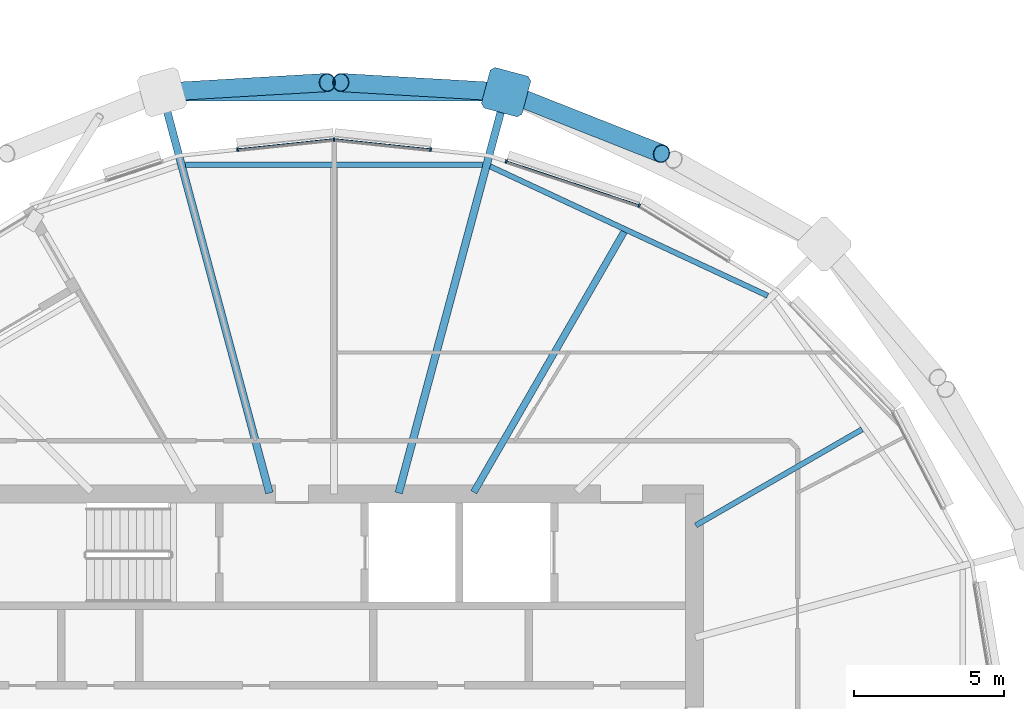
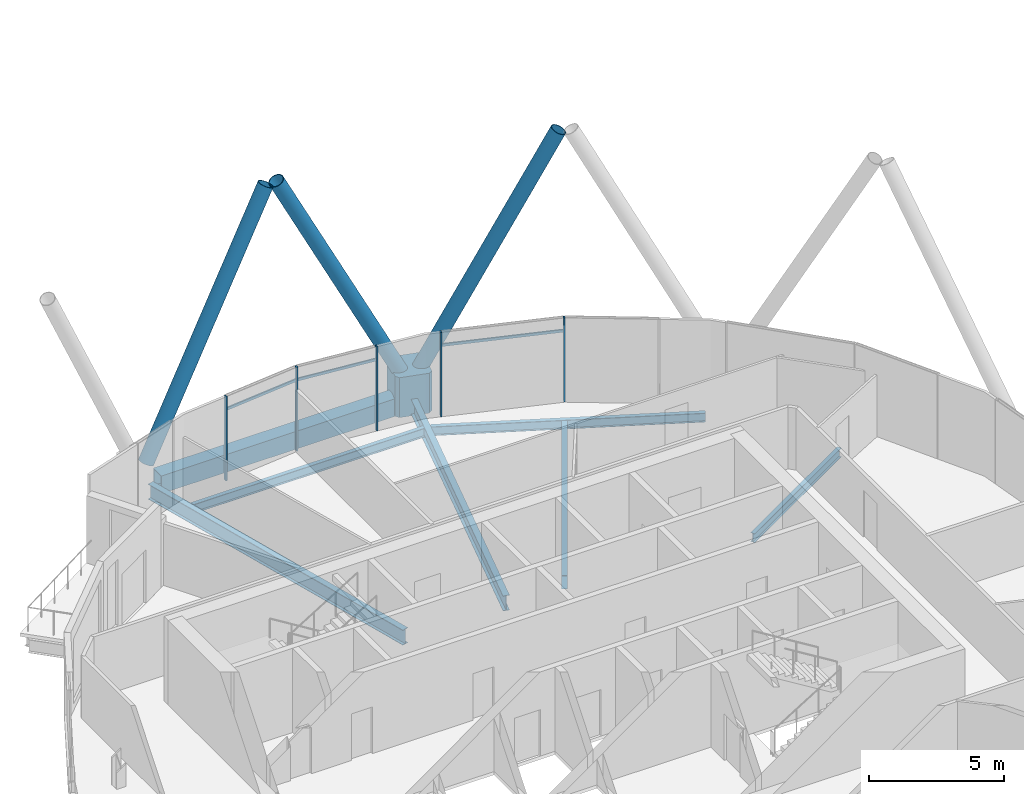
# One storey, part 11 of 37: 12 members, 7 beams, 1 element without a shape of its own.
"""IFC4 building model written with IfcOpenShell, lengths in metres."""

from ifc_helpers import new_model, si_unit, direction, frame, origin, origin_2d, place, context, subcontext, project, spatial, polyline, rectangle, hollow_rectangle, hollow_circle, i_section, outline, extrude, material, material_profile, profile_set, type_object, element, aggregate, save


model = new_model("IFC4")

# Units and contexts
model_context = context("Model", 3, precision=1e-05, world=origin(), true_north=direction((0.0, 1.0)))
body_context = subcontext(model_context, "Body", "Model", "MODEL_VIEW")
ifc_project = project(units=[si_unit("LENGTHUNIT", "METRE"), si_unit("AREAUNIT", "SQUARE_METRE"), si_unit("VOLUMEUNIT", "CUBIC_METRE"), si_unit("PLANEANGLEUNIT", "RADIAN"), si_unit("MASSUNIT", "GRAM", prefix="KILO")], contexts=[model_context])

# Site, building, storey
site_placement = place(None, origin())
site = spatial("IfcSite", under=ifc_project, at=site_placement, CompositionType="ELEMENT")
building_placement = place(site_placement, origin())
building = spatial("IfcBuilding", under=site, at=building_placement, Name="Rimbun Link Towers", CompositionType="ELEMENT")
storey_placement = place(building_placement, frame((0.0, 0.0, 170.300048828125)))
storey = spatial("IfcBuildingStorey", under=building, at=storey_placement, Name="L41", CompositionType="ELEMENT", Elevation=170.300048828125)

# Curtain wall, members
ifc_material_1 = material(Name="Aluminium 6063-T6 and low-iron glass", Category="aluminium")
curtain_wall_type = type_object("IfcCurtainWallType", Name="CW1-Z3 unitised vision wall (zone 3)", PredefinedType="NOTDEFINED", material=ifc_material_1)
curtain_wall_placement = place(storey_placement, origin())
curtain_wall = element("IfcCurtainWall", 1, at=curtain_wall_placement, inside=storey, type_object=curtain_wall_type, Name="CW1 L41 T1", PredefinedType="NOTDEFINED")
ifc_material_2 = material(Name="Aluminium 6063-T6", Category="aluminium")
ifc_material_profile_1 = material_profile(ifc_material_2, rectangle(XDim=0.1201171875, YDim=0.06005859375, at=origin_2d()), Name="MULLION 60X120")
ifc_profile_set_1 = profile_set([ifc_material_profile_1], Name="Aluminium 6063-T6")
member_type_1 = type_object("IfcMemberType", Name="CW1 mullion 60X120", PredefinedType="MULLION", material=ifc_profile_set_1)
member_1_placement = place(storey_placement, frame((-21.590087890625, 17.60791015625, 0.0), z_axis=(0.0, 0.0, 1.0), x_axis=(0.421696857655, 0.906736874867, 0.0)))
member_1 = element("IfcMember", 2, at=member_1_placement, type_object=member_type_1, Name="CW1 mullion", PredefinedType="MULLION", context=body_context, shape_type="SweptSolid", body=[
    extrude(rectangle(XDim=0.1201171875, YDim=0.06005859375, at=origin_2d()), origin(), (0.0, 0.0, 1.0), 3.800048828125),
])
member_2_placement = place(storey_placement, frame((-26.01513671875, 19.07470703125, 0.0), z_axis=(0.0, 0.0, 1.0), x_axis=(0.314560279601, 0.949237499521, 0.0)))
member_2 = element("IfcMember", 3, at=member_2_placement, type_object=member_type_1, Name="CW1 mullion", PredefinedType="MULLION", context=body_context, shape_type="SweptSolid", body=[
    extrude(rectangle(XDim=0.1201171875, YDim=0.06005859375, at=origin_2d()), origin(), (0.0, 0.0, 1.0), 3.800048828125),
])
member_3_placement = place(storey_placement, frame((-31.75, 19.80859375, 0.0), z_axis=(0.0, 0.0, 1.0), x_axis=(0.0, 1.0, 0.0)))
member_3 = element("IfcMember", 4, at=member_3_placement, type_object=member_type_1, Name="CW1 mullion", PredefinedType="MULLION", context=body_context, shape_type="SweptSolid", body=[
    extrude(rectangle(XDim=0.1201171875, YDim=0.06005859375, at=origin_2d()), origin(), (0.0, 0.0, 1.0), 3.800048828125),
])
member_4_placement = place(storey_placement, frame((-28.53662109375, 19.470458984375, 0.0), z_axis=(0.0, 0.0, 1.0), x_axis=(0.104737092036, 0.994499945476, 0.0)))
member_4 = element("IfcMember", 5, at=member_4_placement, type_object=member_type_1, Name="CW1 mullion", PredefinedType="MULLION", context=body_context, shape_type="SweptSolid", body=[
    extrude(rectangle(XDim=0.1201171875, YDim=0.06005859375, at=origin_2d()), origin(), (0.0, 0.0, 1.0), 3.800048828125),
])
member_5_placement = place(storey_placement, frame((-34.96337890625, 19.470458984375, 0.0), z_axis=(0.0, 0.0, 1.0), x_axis=(-0.104737092036, 0.994499945476, 0.0)))
member_5 = element("IfcMember", 6, at=member_5_placement, type_object=member_type_1, Name="CW1 mullion", PredefinedType="MULLION", context=body_context, shape_type="SweptSolid", body=[
    extrude(rectangle(XDim=0.1201171875, YDim=0.06005859375, at=origin_2d()), origin(), (0.0, 0.0, 1.0), 3.800048828125),
])
ifc_material_3 = material(Name="Aluminium 6063-T6", Category="aluminium")
ifc_material_profile_2 = material_profile(ifc_material_3, rectangle(XDim=0.06005859375, YDim=0.1201171875, at=origin_2d()), Name="TRANSOM 60X120")
ifc_profile_set_2 = profile_set([ifc_material_profile_2], Name="Aluminium 6063-T6")
member_type_2 = type_object("IfcMemberType", Name="CW1 transom 60X120", PredefinedType="USERDEFINED", material=ifc_profile_set_2)
member_6_placement = place(storey_placement, frame((-25.9873046875, 19.0634765625, 3.199951171875), z_axis=(0.949239729091, -0.314553551426, 0.0), x_axis=(0.314553551426, 0.949239729091, 0.0)))
member_6 = element("IfcMember", 7, at=member_6_placement, type_object=member_type_2, Name="CW1 transom", ObjectType="TRANSOM", PredefinedType="USERDEFINED", context=body_context, shape_type="SweptSolid", body=[
    extrude(rectangle(XDim=0.06005859375, YDim=0.1201171875, at=origin_2d()), origin(), (0.0, 0.0, 1.0), 4.5947265625),
])
member_7_placement = place(storey_placement, frame((-31.714111328125, 19.80322265625, 3.199951171875), z_axis=(0.994497841897, -0.104757064016, 0.0), x_axis=(0.104757064016, 0.994497841897, 0.0)))
member_7 = element("IfcMember", 8, at=member_7_placement, type_object=member_type_2, Name="CW1 transom", ObjectType="TRANSOM", PredefinedType="USERDEFINED", context=body_context, shape_type="SweptSolid", body=[
    extrude(rectangle(XDim=0.06005859375, YDim=0.1201171875, at=origin_2d()), origin(), (0.0, 0.0, 1.0), 3.164794921875),
])
member_8_placement = place(storey_placement, frame((-34.933349609375, 19.4716796875, 3.199951171875), z_axis=(0.994497841897, 0.104757064016, 0.0), x_axis=(-0.104757064016, 0.994497841897, 0.0)))
member_8 = element("IfcMember", 9, at=member_8_placement, type_object=member_type_2, Name="CW1 transom", ObjectType="TRANSOM", PredefinedType="USERDEFINED", context=body_context, shape_type="SweptSolid", body=[
    extrude(rectangle(XDim=0.06005859375, YDim=0.1201171875, at=origin_2d()), origin(), (0.0, 0.0, 1.0), 3.164794921875),
])
aggregate(curtain_wall, [member_1, member_2, member_3, member_4, member_5, member_6, member_7, member_8])

# Members
ifc_material_4 = material(Name="Steel S355J2H", Category="steel")
ifc_material_profile_3 = material_profile(ifc_material_4, hollow_circle(Radius=0.3046875, WallThickness=0.02490234375, at=origin_2d()), Name="Diagrid diagonal CHS 610x25")
ifc_profile_set_3 = profile_set([ifc_material_profile_3], Name="Steel S355J2H")
member_type_3 = type_object("IfcMemberType", Name="Diagrid diagonal CHS 610x25", PredefinedType="BRACE", material=ifc_profile_set_3)
member_9_placement = place(storey_placement, frame((-25.810791015625, 21.296630859375, 0.44580078125), z_axis=(0.421187646569, -0.166556991544, 0.8915490648), x_axis=(0.367737070118, 0.929929807707, 0.0)))
element("IfcMember", 10, at=member_9_placement, inside=storey, type_object=member_type_3, Name="Diagrid diagonal T1 L41-L44 05a", PredefinedType="BRACE", context=body_context, shape_type="SweptSolid", body=[
    extrude(hollow_circle(Radius=0.3046875, WallThickness=0.02490234375, at=origin_2d()), origin(), (0.0, 0.0, 1.0), 11.78662109375),
])
for number, where, z_axis, x_axis, name in (
    (11, (-26.24560546875, 21.39306640625, 0.446533203125), (-0.448868105626, 0.026275813646, 0.893211624067), (-0.058437900023, -0.998291045658, 0.0), "Diagrid diagonal T1 L41-L44 05b"),
    (12, (-37.25439453125, 21.39306640625, 0.446533203125), (0.448868105626, 0.026275813646, 0.893211624067), (-0.058437900023, 0.998291045658, 0.0), "Diagrid diagonal T1 L41-L44 07a"),
):
    element("IfcMember", number, at=place(storey_placement, frame(where, z_axis=z_axis, x_axis=x_axis)), inside=storey, type_object=member_type_3, Name=name, PredefinedType="BRACE", context=body_context, shape_type="SweptSolid", body=[
        extrude(hollow_circle(Radius=0.3046875, WallThickness=0.02490234375, at=origin_2d()), origin(), (0.0, 0.0, 1.0), 11.762939453125),
    ])
ifc_material_5 = material(Name="Cast steel G20Mn5+QT, Rp0.2 300 MPa", Category="steel")
ifc_material_profile_4 = material_profile(ifc_material_5, outline(polyline([(0.699951171875, -0.570068359375), (0.699951171875, 0.570068359375), (0.570068359375, 0.699951171875), (-0.570068359375, 0.699951171875), (-0.699951171875, 0.570068359375), (-0.699951171875, -0.570068359375), (-0.570068359375, -0.699951171875), (0.570068359375, -0.699951171875), (0.699951171875, -0.570068359375)])), Name="NODE 1400x1400")
ifc_profile_set_4 = profile_set([ifc_material_profile_4], Name="Cast steel G20Mn5+QT, Rp0.2 300 MPa")
member_type_4 = type_object("IfcMemberType", Name="Diagrid node cast 1400", PredefinedType="USERDEFINED", material=ifc_profile_set_4)
member_10_placement = place(storey_placement, frame((-26.021240234375, 21.3798828125, -0.900146484375), z_axis=(0.0, 0.0, 1.0), x_axis=(0.258819045103, 0.965925826289, 0.0)))
element("IfcMember", 13, at=member_10_placement, inside=storey, type_object=member_type_4, Name="Diagrid node L41 05", ObjectType="Diagrid node", PredefinedType="USERDEFINED", context=body_context, shape_type="SweptSolid", body=[
    extrude(outline(polyline([(0.699951171875, -0.570068359375), (0.699951171875, 0.570068359375), (0.570068359375, 0.699951171875), (-0.570068359375, 0.699951171875), (-0.699951171875, 0.570068359375), (-0.699951171875, -0.570068359375), (-0.570068359375, -0.699951171875), (0.570068359375, -0.699951171875), (0.699951171875, -0.570068359375)])), origin(), (0.0, 0.0, 1.0), 1.800048828125),
])

# Beams
ifc_material_6 = material(Name="Steel S355J2", Category="steel")
ifc_material_profile_5 = material_profile(ifc_material_6, hollow_rectangle(XDim=0.60009765625, YDim=0.800048828125, WallThickness=0.0400390625, at=origin_2d()), Name="Exoskeleton ring girder BOX 600x800x40")
ifc_profile_set_5 = profile_set([ifc_material_profile_5], Name="Steel S355J2")
beam_type_1 = type_object("IfcBeamType", Name="Exoskeleton ring girder BOX 600x800x40", PredefinedType="BEAM", material=ifc_profile_set_5)
beam_1_placement = place(storey_placement, frame((-26.72119140625, 21.3798828125, -0.56005859375), z_axis=(-1.0, 0.0, 0.0), x_axis=(0.0, -1.0, 0.0)))
element("IfcBeam", 14, at=beam_1_placement, inside=storey, type_object=beam_type_1, Name="Exoskeleton ring girder L41 02", PredefinedType="BEAM", context=body_context, shape_type="SweptSolid", body=[
    extrude(hollow_rectangle(XDim=0.60009765625, YDim=0.800048828125, WallThickness=0.0400390625, at=origin_2d()), origin(), (0.0, 0.0, 1.0), 10.0576171875),
])
ifc_material_7 = material(Name="Steel S355J2", Category="steel")
ifc_material_profile_6 = material_profile(ifc_material_7, i_section(OverallWidth=0.177978515625, OverallDepth=0.406494140625, WebThickness=0.0078125, FlangeThickness=0.0126953125, at=origin_2d()), Name="UB 406x178x60")
ifc_profile_set_6 = profile_set([ifc_material_profile_6], Name="Steel S355J2")
beam_type_2 = type_object("IfcBeamType", Name="UB 406x178x60", PredefinedType="BEAM", material=ifc_profile_set_6)
beam_2_placement = place(storey_placement, frame((-19.70458984375, 6.954345703125, -0.353271484375), z_axis=(0.866020885633, 0.500007825586, 0.0), x_axis=(-0.500007825586, 0.866020885633, 0.0)))
element("IfcBeam", 15, at=beam_2_placement, inside=storey, type_object=beam_type_2, Name="Radial beam T1 L41 02", PredefinedType="BEAM", context=body_context, shape_type="SweptSolid", body=[
    extrude(i_section(OverallWidth=0.177978515625, OverallDepth=0.406494140625, WebThickness=0.0078125, FlangeThickness=0.0126953125, at=origin_2d()), origin(), (0.0, 0.0, 1.0), 6.3935546875),
])
beam_3_placement = place(storey_placement, frame((-17.31103515625, 14.60107421875, -0.353271484375), z_axis=(-0.906411214108, 0.422396390775, 0.0), x_axis=(-0.422396390775, -0.906411214108, 0.0)))
element("IfcBeam", 16, at=beam_3_placement, inside=storey, type_object=beam_type_2, Name="Edge beam T1 L41 03-05", PredefinedType="BEAM", context=body_context, shape_type="SweptSolid", body=[
    extrude(i_section(OverallWidth=0.177978515625, OverallDepth=0.406494140625, WebThickness=0.0078125, FlangeThickness=0.0126953125, at=origin_2d()), origin(), (0.0, 0.0, 1.0), 10.194580078125),
])
beam_4_placement = place(storey_placement, frame((-26.801513671875, 18.962158203125, -0.353271484375), z_axis=(-1.0, 0.0, 0.0), x_axis=(0.0, -1.0, 0.0)))
element("IfcBeam", 17, at=beam_4_placement, inside=storey, type_object=beam_type_2, Name="Edge beam T1 L41 05-07", PredefinedType="BEAM", context=body_context, shape_type="SweptSolid", body=[
    extrude(i_section(OverallWidth=0.177978515625, OverallDepth=0.406494140625, WebThickness=0.0078125, FlangeThickness=0.0126953125, at=origin_2d()), origin(), (0.0, 0.0, 1.0), 9.89697265625),
])
ifc_material_8 = material(Name="Steel S355J2", Category="steel")
ifc_material_profile_7 = material_profile(ifc_material_8, i_section(OverallWidth=0.2275390625, OverallDepth=0.6025390625, WebThickness=0.010498046875, FlangeThickness=0.014892578125, at=origin_2d()), Name="UB 610x229x101")
ifc_profile_set_7 = profile_set([ifc_material_profile_7], Name="Steel S355J2")
beam_type_3 = type_object("IfcBeamType", Name="UB 610x229x101", PredefinedType="BEAM", material=ifc_profile_set_7)
beam_5_placement = place(storey_placement, frame((-27.097900390625, 8.057861328125, -0.451416015625), z_axis=(0.500001751638, 0.866024392473, 0.0), x_axis=(-0.866024392473, 0.500001751638, 0.0)))
element("IfcBeam", 18, at=beam_5_placement, inside=storey, type_object=beam_type_3, Name="Radial beam T1 L41 04", PredefinedType="BEAM", context=body_context, shape_type="SweptSolid", body=[
    extrude(i_section(OverallWidth=0.2275390625, OverallDepth=0.6025390625, WebThickness=0.010498046875, FlangeThickness=0.014892578125, at=origin_2d()), origin(), (0.0, 0.0, 1.0), 10.01318359375),
])
ifc_material_9 = material(Name="Steel S355J2", Category="steel")
ifc_material_profile_8 = material_profile(ifc_material_9, i_section(OverallWidth=0.253662109375, OverallDepth=0.68359375, WebThickness=0.012451171875, FlangeThickness=0.01904296875, at=origin_2d()), Name="UB 686x254x140")
ifc_profile_set_8 = profile_set([ifc_material_profile_8], Name="Steel S355J2")
beam_type_4 = type_object("IfcBeamType", Name="UB 686x254x140", PredefinedType="BEAM", material=ifc_profile_set_8)
for number, where, z_axis, x_axis, name in (
    (19, (-29.597412109375, 8.03369140625, -0.49169921875), (0.258824055948, 0.965924483623, 0.0), (-0.965924483623, 0.258824055948, 0.0), "Radial beam T1 L41 05"),
    (20, (-33.902587890625, 8.03369140625, -0.49169921875), (-0.258824055948, 0.965924483623, 0.0), (-0.965924483623, -0.258824055948, 0.0), "Radial beam T1 L41 07"),
):
    element("IfcBeam", number, at=place(storey_placement, frame(where, z_axis=z_axis, x_axis=x_axis)), inside=storey, type_object=beam_type_4, Name=name, PredefinedType="BEAM", context=body_context, shape_type="SweptSolid", body=[
        extrude(i_section(OverallWidth=0.253662109375, OverallDepth=0.68359375, WebThickness=0.012451171875, FlangeThickness=0.01904296875, at=origin_2d()), origin(), (0.0, 0.0, 1.0), 13.317138671875),
    ])

save(model, "model.ifc")
